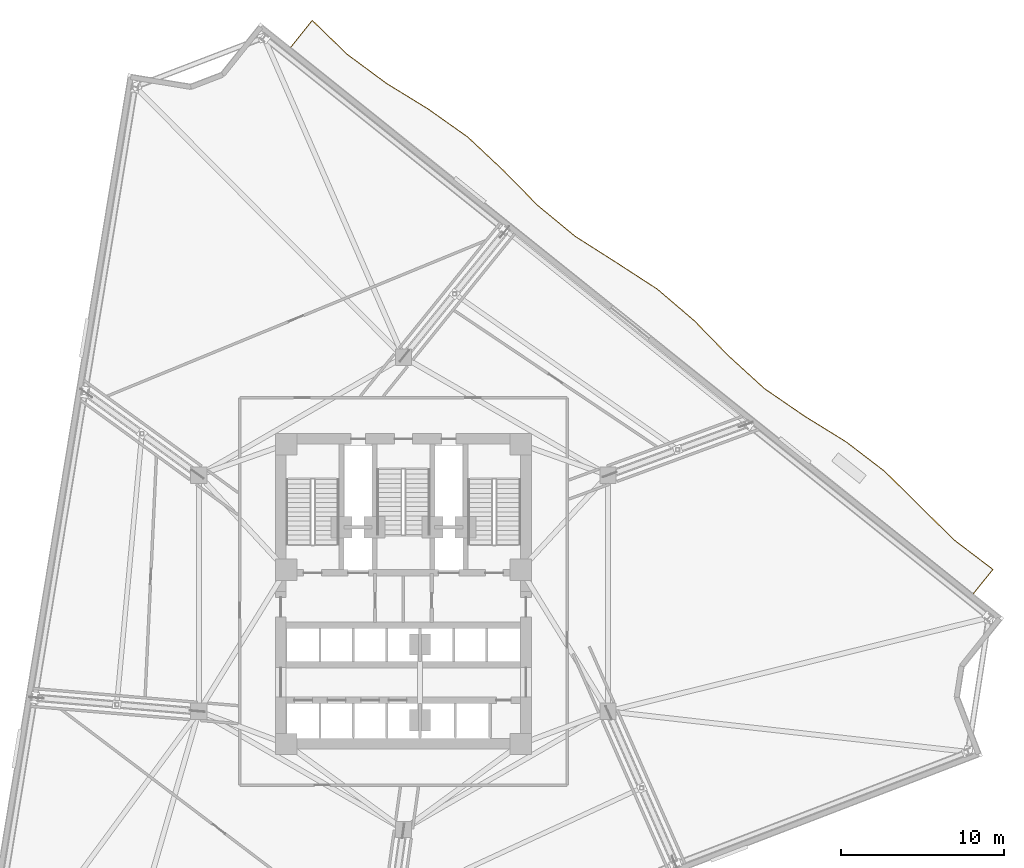
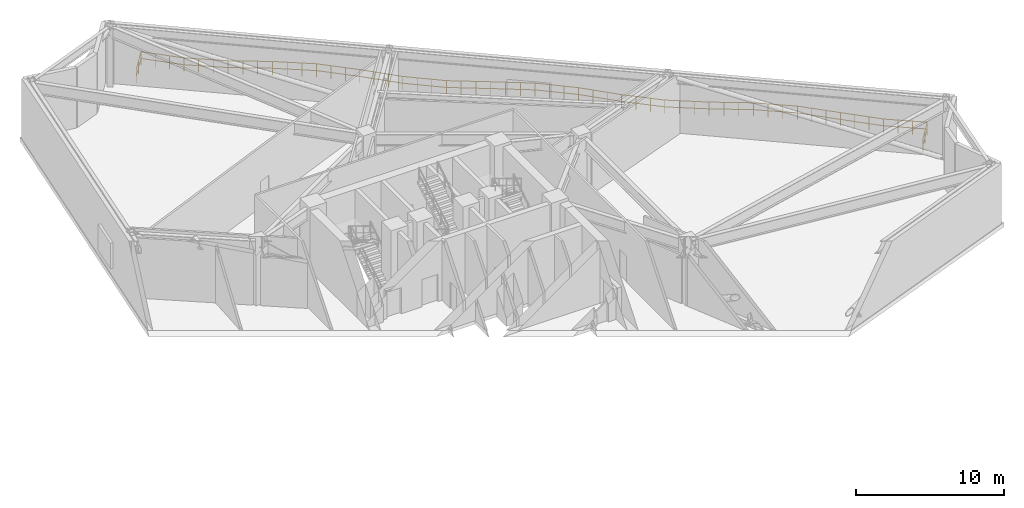
# One storey, part 18 of 18: 1 railing.
"""IFC4 building model written with IfcOpenShell, lengths in metres."""

from ifc_helpers import new_model, si_unit, direction, frame, origin, origin_2d, place, context, subcontext, project, spatial, rectangle, extrude, material, type_object, element, save


model = new_model("IFC4")

# Units and contexts
model_context = context("Model", 3, precision=1e-05, world=origin(), true_north=direction((0.0, 1.0)))
body_context = subcontext(model_context, "Body", "Model", "MODEL_VIEW")
ifc_project = project(units=[si_unit("LENGTHUNIT", "METRE"), si_unit("AREAUNIT", "SQUARE_METRE"), si_unit("VOLUMEUNIT", "CUBIC_METRE"), si_unit("PLANEANGLEUNIT", "RADIAN"), si_unit("MASSUNIT", "GRAM", prefix="KILO")], contexts=[model_context])

# Site, building, storey
site_placement = place(None, origin())
site = spatial("IfcSite", under=ifc_project, at=site_placement, CompositionType="ELEMENT")
building_placement = place(site_placement, origin())
building = spatial("IfcBuilding", under=site, at=building_placement, Name="Apsidion Concourse Tower", CompositionType="ELEMENT")
storey_placement = place(building_placement, frame((0.0, 0.0, 127.0)))
storey = spatial("IfcBuildingStorey", under=building, at=storey_placement, Name="L29", CompositionType="ELEMENT", Elevation=127.0)

# Railing
ifc_material = material(Name="Brushed stainless steel 316", Category="steel")
railing_type = type_object("IfcRailingType", Name="RL-BAL-1120", PredefinedType="BALUSTRADE", material=ifc_material)
railing_placement = place(storey_placement, frame((-6.919189453125, 33.529541015625, 0.0)))
element("IfcRailing", 1, at=railing_placement, inside=storey, type_object=railing_type, Name="L29 Face 3 Spiral Terrace Balustrade", PredefinedType="BALUSTRADE", context=body_context, shape_type="SweptSolid", body=[
    extrude(rectangle(XDim=0.048095703125, YDim=0.048095703125, at=origin_2d()), frame((0.0, 0.0, 1.09619140625), z_axis=(0.624906753079, 0.780699397948, 0.0), x_axis=(-0.780699397948, 0.624906753079, 0.0)), (0.0, 0.0, 1.0), 2.109375),
    extrude(rectangle(XDim=0.048095703125, YDim=0.048095703125, at=origin_2d()), frame((0.0, 0.0, 0.5361328125), z_axis=(0.624906753079, 0.780699397948, 0.0), x_axis=(-0.780699397948, 0.624906753079, 0.0)), (0.0, 0.0, 1.0), 2.109375),
    extrude(rectangle(XDim=0.048095703125, YDim=0.048095703125, at=origin_2d()), frame((1.318115234375, 1.646728515625, 1.09619140625), z_axis=(0.717859674941, -0.69618782458, 0.0), x_axis=(0.69618782458, 0.717859674941, 0.0)), (0.0, 0.0, 1.0), 2.99658203125),
    extrude(rectangle(XDim=0.048095703125, YDim=0.048095703125, at=origin_2d()), frame((1.318115234375, 1.646728515625, 0.5361328125), z_axis=(0.717859674941, -0.69618782458, 0.0), x_axis=(0.69618782458, 0.717859674941, 0.0)), (0.0, 0.0, 1.0), 2.99658203125),
    extrude(rectangle(XDim=0.048095703125, YDim=0.048095703125, at=origin_2d()), frame((3.46923828125, -0.439453125, 1.09619140625), z_axis=(0.803762891337, -0.594949757971, 0.0), x_axis=(0.594949757971, 0.803762891337, 0.0)), (0.0, 0.0, 1.0), 2.98486328125),
    extrude(rectangle(XDim=0.048095703125, YDim=0.048095703125, at=origin_2d()), frame((3.46923828125, -0.439453125, 0.5361328125), z_axis=(0.803762891337, -0.594949757971, 0.0), x_axis=(0.594949757971, 0.803762891337, 0.0)), (0.0, 0.0, 1.0), 2.98486328125),
    extrude(rectangle(XDim=0.048095703125, YDim=0.048095703125, at=origin_2d()), frame((5.868408203125, -2.21533203125, 1.09619140625), z_axis=(0.852020615175, -0.52350823424, 0.0), x_axis=(0.52350823424, 0.852020615175, 0.0)), (0.0, 0.0, 1.0), 3.006103515625),
    extrude(rectangle(XDim=0.048095703125, YDim=0.048095703125, at=origin_2d()), frame((5.868408203125, -2.21533203125, 0.5361328125), z_axis=(0.852020615175, -0.52350823424, 0.0), x_axis=(0.52350823424, 0.852020615175, 0.0)), (0.0, 0.0, 1.0), 3.006103515625),
    extrude(rectangle(XDim=0.048095703125, YDim=0.048095703125, at=origin_2d()), frame((8.4296875, -3.7890625, 1.09619140625), z_axis=(0.816188227197, -0.577786100374, 0.0), x_axis=(0.577786100374, 0.816188227197, 0.0)), (0.0, 0.0, 1.0), 2.98828125),
    extrude(rectangle(XDim=0.048095703125, YDim=0.048095703125, at=origin_2d()), frame((8.4296875, -3.7890625, 0.5361328125), z_axis=(0.816188227197, -0.577786100374, 0.0), x_axis=(0.577786100374, 0.816188227197, 0.0)), (0.0, 0.0, 1.0), 2.98828125),
    extrude(rectangle(XDim=0.048095703125, YDim=0.048095703125, at=origin_2d()), frame((10.86865234375, -5.515625, 1.09619140625), z_axis=(0.729267436502, -0.684228767342, 0.0), x_axis=(0.684228767342, 0.729267436502, 0.0)), (0.0, 0.0, 1.0), 2.9921875),
    extrude(rectangle(XDim=0.048095703125, YDim=0.048095703125, at=origin_2d()), frame((10.86865234375, -5.515625, 0.5361328125), z_axis=(0.729267436502, -0.684228767342, 0.0), x_axis=(0.684228767342, 0.729267436502, 0.0)), (0.0, 0.0, 1.0), 2.9921875),
    extrude(rectangle(XDim=0.048095703125, YDim=0.048095703125, at=origin_2d()), frame((13.05078125, -7.56298828125, 1.09619140625), z_axis=(0.700329732699, -0.713819490836, 0.0), x_axis=(0.713819490836, 0.700329732699, 0.0)), (0.0, 0.0, 1.0), 3.00439453125),
    extrude(rectangle(XDim=0.048095703125, YDim=0.048095703125, at=origin_2d()), frame((13.05078125, -7.56298828125, 0.5361328125), z_axis=(0.700329732699, -0.713819490836, 0.0), x_axis=(0.713819490836, 0.700329732699, 0.0)), (0.0, 0.0, 1.0), 3.00439453125),
    extrude(rectangle(XDim=0.048095703125, YDim=0.048095703125, at=origin_2d()), frame((15.15478515625, -9.70751953125, 1.09619140625), z_axis=(0.771277863748, -0.63649859143, 0.0), x_axis=(0.63649859143, 0.771277863748, 0.0)), (0.0, 0.0, 1.0), 2.9833984375),
    extrude(rectangle(XDim=0.048095703125, YDim=0.048095703125, at=origin_2d()), frame((15.15478515625, -9.70751953125, 0.5361328125), z_axis=(0.771277863748, -0.63649859143, 0.0), x_axis=(0.63649859143, 0.771277863748, 0.0)), (0.0, 0.0, 1.0), 2.9833984375),
    extrude(rectangle(XDim=0.048095703125, YDim=0.048095703125, at=origin_2d()), frame((17.455810546875, -11.6064453125, 1.09619140625), z_axis=(0.843678239029, -0.536849167819, 0.0), x_axis=(0.536849167819, 0.843678239029, 0.0)), (0.0, 0.0, 1.0), 3.00048828125),
    extrude(rectangle(XDim=0.048095703125, YDim=0.048095703125, at=origin_2d()), frame((17.455810546875, -11.6064453125, 0.5361328125), z_axis=(0.843678239029, -0.536849167819, 0.0), x_axis=(0.536849167819, 0.843678239029, 0.0)), (0.0, 0.0, 1.0), 3.00048828125),
    extrude(rectangle(XDim=0.048095703125, YDim=0.048095703125, at=origin_2d()), frame((19.9873046875, -13.21728515625, 1.09619140625), z_axis=(0.838717017949, -0.544567501604, 0.0), x_axis=(0.544567501604, 0.838717017949, 0.0)), (0.0, 0.0, 1.0), 2.997802734375),
    extrude(rectangle(XDim=0.048095703125, YDim=0.048095703125, at=origin_2d()), frame((19.9873046875, -13.21728515625, 0.5361328125), z_axis=(0.838717017949, -0.544567501604, 0.0), x_axis=(0.544567501604, 0.838717017949, 0.0)), (0.0, 0.0, 1.0), 2.997802734375),
    extrude(rectangle(XDim=0.048095703125, YDim=0.048095703125, at=origin_2d()), frame((22.501708984375, -14.849853515625, 1.09619140625), z_axis=(0.760658098639, -0.649152722381, 0.0), x_axis=(0.649152722381, 0.760658098639, 0.0)), (0.0, 0.0, 1.0), 2.984375),
    extrude(rectangle(XDim=0.048095703125, YDim=0.048095703125, at=origin_2d()), frame((22.501708984375, -14.849853515625, 0.5361328125), z_axis=(0.760658098639, -0.649152722381, 0.0), x_axis=(0.649152722381, 0.760658098639, 0.0)), (0.0, 0.0, 1.0), 2.984375),
    extrude(rectangle(XDim=0.048095703125, YDim=0.048095703125, at=origin_2d()), frame((24.771728515625, -16.787109375, 1.09619140625), z_axis=(0.697869000357, -0.716225424249, 0.0), x_axis=(0.716225424249, 0.697869000357, 0.0)), (0.0, 0.0, 1.0), 3.005859375),
    extrude(rectangle(XDim=0.048095703125, YDim=0.048095703125, at=origin_2d()), frame((24.771728515625, -16.787109375, 0.5361328125), z_axis=(0.697869000357, -0.716225424249, 0.0), x_axis=(0.716225424249, 0.697869000357, 0.0)), (0.0, 0.0, 1.0), 3.005859375),
    extrude(rectangle(XDim=0.048095703125, YDim=0.048095703125, at=origin_2d()), frame((26.869384765625, -18.93994140625, 1.09619140625), z_axis=(0.738515553378, -0.674236440293, 0.0), x_axis=(0.674236440293, 0.738515553378, 0.0)), (0.0, 0.0, 1.0), 2.989013671875),
    extrude(rectangle(XDim=0.048095703125, YDim=0.048095703125, at=origin_2d()), frame((26.869384765625, -18.93994140625, 0.5361328125), z_axis=(0.738515553378, -0.674236440293, 0.0), x_axis=(0.674236440293, 0.738515553378, 0.0)), (0.0, 0.0, 1.0), 2.989013671875),
    extrude(rectangle(XDim=0.048095703125, YDim=0.048095703125, at=origin_2d()), frame((29.076904296875, -20.955322265625, 1.09619140625), z_axis=(0.824310949057, -0.566137314849, 0.0), x_axis=(0.566137314849, 0.824310949057, 0.0)), (0.0, 0.0, 1.0), 2.990966796875),
    extrude(rectangle(XDim=0.048095703125, YDim=0.048095703125, at=origin_2d()), frame((29.076904296875, -20.955322265625, 0.5361328125), z_axis=(0.824310949057, -0.566137314849, 0.0), x_axis=(0.566137314849, 0.824310949057, 0.0)), (0.0, 0.0, 1.0), 2.990966796875),
    extrude(rectangle(XDim=0.048095703125, YDim=0.048095703125, at=origin_2d()), frame((31.54248046875, -22.648681640625, 1.09619140625), z_axis=(0.850644117774, -0.525741937547, 0.0), x_axis=(0.525741937547, 0.850644117774, 0.0)), (0.0, 0.0, 1.0), 3.0048828125),
    extrude(rectangle(XDim=0.048095703125, YDim=0.048095703125, at=origin_2d()), frame((31.54248046875, -22.648681640625, 0.5361328125), z_axis=(0.850644117774, -0.525741937547, 0.0), x_axis=(0.525741937547, 0.850644117774, 0.0)), (0.0, 0.0, 1.0), 3.0048828125),
    extrude(rectangle(XDim=0.048095703125, YDim=0.048095703125, at=origin_2d()), frame((34.0986328125, -24.228515625, 1.09619140625), z_axis=(0.793960501959, -0.607969342425, 0.0), x_axis=(0.607969342425, 0.793960501959, 0.0)), (0.0, 0.0, 1.0), 2.983642578125),
    extrude(rectangle(XDim=0.048095703125, YDim=0.048095703125, at=origin_2d()), frame((34.0986328125, -24.228515625, 0.5361328125), z_axis=(0.793960501959, -0.607969342425, 0.0), x_axis=(0.607969342425, 0.793960501959, 0.0)), (0.0, 0.0, 1.0), 2.983642578125),
    extrude(rectangle(XDim=0.048095703125, YDim=0.048095703125, at=origin_2d()), frame((36.467529296875, -26.04248046875, 1.09619140625), z_axis=(0.710881399843, -0.703311904745, 0.0), x_axis=(0.703311904745, 0.710881399843, 0.0)), (0.0, 0.0, 1.0), 2.99951171875),
    extrude(rectangle(XDim=0.048095703125, YDim=0.048095703125, at=origin_2d()), frame((36.467529296875, -26.04248046875, 0.5361328125), z_axis=(0.710881399843, -0.703311904745, 0.0), x_axis=(0.703311904745, 0.710881399843, 0.0)), (0.0, 0.0, 1.0), 2.99951171875),
    extrude(rectangle(XDim=0.048095703125, YDim=0.048095703125, at=origin_2d()), frame((38.599853515625, -28.152099609375, 1.09619140625), z_axis=(0.712217315389, -0.701959041299, 0.0), x_axis=(0.701959041299, 0.712217315389, 0.0)), (0.0, 0.0, 1.0), 2.998779296875),
    extrude(rectangle(XDim=0.048095703125, YDim=0.048095703125, at=origin_2d()), frame((38.599853515625, -28.152099609375, 0.5361328125), z_axis=(0.712217315389, -0.701959041299, 0.0), x_axis=(0.701959041299, 0.712217315389, 0.0)), (0.0, 0.0, 1.0), 2.998779296875),
    extrude(rectangle(XDim=0.048095703125, YDim=0.048095703125, at=origin_2d()), frame((40.735595703125, -30.257080078125, 1.09619140625), z_axis=(0.795966662346, -0.605340459934, 0.0), x_axis=(0.605340459934, 0.795966662346, 0.0)), (0.0, 0.0, 1.0), 2.984130859375),
    extrude(rectangle(XDim=0.048095703125, YDim=0.048095703125, at=origin_2d()), frame((40.735595703125, -30.257080078125, 0.5361328125), z_axis=(0.795966662346, -0.605340459934, 0.0), x_axis=(0.605340459934, 0.795966662346, 0.0)), (0.0, 0.0, 1.0), 2.984130859375),
    extrude(rectangle(XDim=0.048095703125, YDim=0.048095703125, at=origin_2d()), frame((43.11083984375, -32.0634765625, 1.09619140625), z_axis=(-0.625006609908, -0.780619457592, 0.0), x_axis=(0.780619457592, -0.625006609908, 0.0)), (0.0, 0.0, 1.0), 1.910888671875),
    extrude(rectangle(XDim=0.048095703125, YDim=0.048095703125, at=origin_2d()), frame((43.11083984375, -32.0634765625, 0.5361328125), z_axis=(-0.625006609908, -0.780619457592, 0.0), x_axis=(0.780619457592, -0.625006609908, 0.0)), (0.0, 0.0, 1.0), 1.910888671875),
    extrude(rectangle(XDim=0.0419921875, YDim=0.0419921875, at=origin_2d()), origin(), (0.0, 0.0, 1.0), 1.072021484375),
    extrude(rectangle(XDim=0.0419921875, YDim=0.0419921875, at=origin_2d()), frame((0.6591796875, 0.8232421875, 0.0)), (0.0, 0.0, 1.0), 1.072021484375),
    extrude(rectangle(XDim=0.0419921875, YDim=0.0419921875, at=origin_2d()), frame((1.318115234375, 1.646728515625, 0.0)), (0.0, 0.0, 1.0), 1.072021484375),
    extrude(rectangle(XDim=0.0419921875, YDim=0.0419921875, at=origin_2d()), frame((2.03515625, 0.951416015625, 0.0)), (0.0, 0.0, 1.0), 1.072021484375),
    extrude(rectangle(XDim=0.0419921875, YDim=0.0419921875, at=origin_2d()), frame((2.752197265625, 0.255859375, 0.0)), (0.0, 0.0, 1.0), 1.072021484375),
    extrude(rectangle(XDim=0.0419921875, YDim=0.0419921875, at=origin_2d()), frame((3.46923828125, -0.439453125, 0.0)), (0.0, 0.0, 1.0), 1.072021484375),
    extrude(rectangle(XDim=0.0419921875, YDim=0.0419921875, at=origin_2d()), frame((4.26904296875, -1.031494140625, 0.0)), (0.0, 0.0, 1.0), 1.072021484375),
    extrude(rectangle(XDim=0.0419921875, YDim=0.0419921875, at=origin_2d()), frame((5.068603515625, -1.623291015625, 0.0)), (0.0, 0.0, 1.0), 1.072021484375),
    extrude(rectangle(XDim=0.0419921875, YDim=0.0419921875, at=origin_2d()), frame((5.868408203125, -2.21533203125, 0.0)), (0.0, 0.0, 1.0), 1.072021484375),
    extrude(rectangle(XDim=0.0419921875, YDim=0.0419921875, at=origin_2d()), frame((6.72216796875, -2.739990234375, 0.0)), (0.0, 0.0, 1.0), 1.072021484375),
    extrude(rectangle(XDim=0.0419921875, YDim=0.0419921875, at=origin_2d()), frame((7.575927734375, -3.264404296875, 0.0)), (0.0, 0.0, 1.0), 1.072021484375),
    extrude(rectangle(XDim=0.0419921875, YDim=0.0419921875, at=origin_2d()), frame((8.4296875, -3.7890625, 0.0)), (0.0, 0.0, 1.0), 1.072021484375),
    extrude(rectangle(XDim=0.0419921875, YDim=0.0419921875, at=origin_2d()), frame((9.24267578125, -4.364501953125, 0.0)), (0.0, 0.0, 1.0), 1.072021484375),
    extrude(rectangle(XDim=0.0419921875, YDim=0.0419921875, at=origin_2d()), frame((10.0556640625, -4.940185546875, 0.0)), (0.0, 0.0, 1.0), 1.072021484375),
    extrude(rectangle(XDim=0.0419921875, YDim=0.0419921875, at=origin_2d()), frame((10.86865234375, -5.515625, 0.0)), (0.0, 0.0, 1.0), 1.072021484375),
    extrude(rectangle(XDim=0.0419921875, YDim=0.0419921875, at=origin_2d()), frame((11.595947265625, -6.197998046875, 0.0)), (0.0, 0.0, 1.0), 1.072021484375),
    extrude(rectangle(XDim=0.0419921875, YDim=0.0419921875, at=origin_2d()), frame((12.323486328125, -6.880615234375, 0.0)), (0.0, 0.0, 1.0), 1.072021484375),
    extrude(rectangle(XDim=0.0419921875, YDim=0.0419921875, at=origin_2d()), frame((13.05078125, -7.56298828125, 0.0)), (0.0, 0.0, 1.0), 1.072021484375),
    extrude(rectangle(XDim=0.0419921875, YDim=0.0419921875, at=origin_2d()), frame((13.752197265625, -8.27783203125, 0.0)), (0.0, 0.0, 1.0), 1.072021484375),
    extrude(rectangle(XDim=0.0419921875, YDim=0.0419921875, at=origin_2d()), frame((14.453369140625, -8.99267578125, 0.0)), (0.0, 0.0, 1.0), 1.072021484375),
    extrude(rectangle(XDim=0.0419921875, YDim=0.0419921875, at=origin_2d()), frame((15.15478515625, -9.70751953125, 0.0)), (0.0, 0.0, 1.0), 1.072021484375),
    extrude(rectangle(XDim=0.0419921875, YDim=0.0419921875, at=origin_2d()), frame((15.921875, -10.340576171875, 0.0)), (0.0, 0.0, 1.0), 1.072021484375),
    extrude(rectangle(XDim=0.0419921875, YDim=0.0419921875, at=origin_2d()), frame((16.688720703125, -10.973388671875, 0.0)), (0.0, 0.0, 1.0), 1.072021484375),
    extrude(rectangle(XDim=0.0419921875, YDim=0.0419921875, at=origin_2d()), frame((17.455810546875, -11.6064453125, 0.0)), (0.0, 0.0, 1.0), 1.072021484375),
    extrude(rectangle(XDim=0.0419921875, YDim=0.0419921875, at=origin_2d()), frame((18.299560546875, -12.143310546875, 0.0)), (0.0, 0.0, 1.0), 1.072021484375),
    extrude(rectangle(XDim=0.0419921875, YDim=0.0419921875, at=origin_2d()), frame((19.1435546875, -12.680419921875, 0.0)), (0.0, 0.0, 1.0), 1.072021484375),
    extrude(rectangle(XDim=0.0419921875, YDim=0.0419921875, at=origin_2d()), frame((19.9873046875, -13.21728515625, 0.0)), (0.0, 0.0, 1.0), 1.072021484375),
    extrude(rectangle(XDim=0.0419921875, YDim=0.0419921875, at=origin_2d()), frame((20.825439453125, -13.761474609375, 0.0)), (0.0, 0.0, 1.0), 1.072021484375),
    extrude(rectangle(XDim=0.0419921875, YDim=0.0419921875, at=origin_2d()), frame((21.66357421875, -14.3056640625, 0.0)), (0.0, 0.0, 1.0), 1.072021484375),
    extrude(rectangle(XDim=0.0419921875, YDim=0.0419921875, at=origin_2d()), frame((22.501708984375, -14.849853515625, 0.0)), (0.0, 0.0, 1.0), 1.072021484375),
    extrude(rectangle(XDim=0.0419921875, YDim=0.0419921875, at=origin_2d()), frame((23.25830078125, -15.49560546875, 0.0)), (0.0, 0.0, 1.0), 1.072021484375),
    extrude(rectangle(XDim=0.0419921875, YDim=0.0419921875, at=origin_2d()), frame((24.01513671875, -16.141357421875, 0.0)), (0.0, 0.0, 1.0), 1.072021484375),
    extrude(rectangle(XDim=0.0419921875, YDim=0.0419921875, at=origin_2d()), frame((24.771728515625, -16.787109375, 0.0)), (0.0, 0.0, 1.0), 1.072021484375),
    extrude(rectangle(XDim=0.0419921875, YDim=0.0419921875, at=origin_2d()), frame((25.470947265625, -17.504638671875, 0.0)), (0.0, 0.0, 1.0), 1.072021484375),
    extrude(rectangle(XDim=0.0419921875, YDim=0.0419921875, at=origin_2d()), frame((26.170166015625, -18.222412109375, 0.0)), (0.0, 0.0, 1.0), 1.072021484375),
    extrude(rectangle(XDim=0.0419921875, YDim=0.0419921875, at=origin_2d()), frame((26.869384765625, -18.93994140625, 0.0)), (0.0, 0.0, 1.0), 1.072021484375),
    extrude(rectangle(XDim=0.0419921875, YDim=0.0419921875, at=origin_2d()), frame((27.605224609375, -19.61181640625, 0.0)), (0.0, 0.0, 1.0), 1.072021484375),
    extrude(rectangle(XDim=0.0419921875, YDim=0.0419921875, at=origin_2d()), frame((28.341064453125, -20.283447265625, 0.0)), (0.0, 0.0, 1.0), 1.072021484375),
    extrude(rectangle(XDim=0.0419921875, YDim=0.0419921875, at=origin_2d()), frame((29.076904296875, -20.955322265625, 0.0)), (0.0, 0.0, 1.0), 1.072021484375),
    extrude(rectangle(XDim=0.0419921875, YDim=0.0419921875, at=origin_2d()), frame((29.898681640625, -21.519775390625, 0.0)), (0.0, 0.0, 1.0), 1.072021484375),
    extrude(rectangle(XDim=0.0419921875, YDim=0.0419921875, at=origin_2d()), frame((30.720703125, -22.084228515625, 0.0)), (0.0, 0.0, 1.0), 1.072021484375),
    extrude(rectangle(XDim=0.0419921875, YDim=0.0419921875, at=origin_2d()), frame((31.54248046875, -22.648681640625, 0.0)), (0.0, 0.0, 1.0), 1.072021484375),
    extrude(rectangle(XDim=0.0419921875, YDim=0.0419921875, at=origin_2d()), frame((32.39453125, -23.17529296875, 0.0)), (0.0, 0.0, 1.0), 1.072021484375),
    extrude(rectangle(XDim=0.0419921875, YDim=0.0419921875, at=origin_2d()), frame((33.24658203125, -23.701904296875, 0.0)), (0.0, 0.0, 1.0), 1.072021484375),
    extrude(rectangle(XDim=0.0419921875, YDim=0.0419921875, at=origin_2d()), frame((34.0986328125, -24.228515625, 0.0)), (0.0, 0.0, 1.0), 1.072021484375),
    extrude(rectangle(XDim=0.0419921875, YDim=0.0419921875, at=origin_2d()), frame((34.88818359375, -24.833251953125, 0.0)), (0.0, 0.0, 1.0), 1.072021484375),
    extrude(rectangle(XDim=0.0419921875, YDim=0.0419921875, at=origin_2d()), frame((35.677978515625, -25.437744140625, 0.0)), (0.0, 0.0, 1.0), 1.072021484375),
    extrude(rectangle(XDim=0.0419921875, YDim=0.0419921875, at=origin_2d()), frame((36.467529296875, -26.04248046875, 0.0)), (0.0, 0.0, 1.0), 1.072021484375),
    extrude(rectangle(XDim=0.0419921875, YDim=0.0419921875, at=origin_2d()), frame((37.17822265625, -26.74560546875, 0.0)), (0.0, 0.0, 1.0), 1.072021484375),
    extrude(rectangle(XDim=0.0419921875, YDim=0.0419921875, at=origin_2d()), frame((37.88916015625, -27.448974609375, 0.0)), (0.0, 0.0, 1.0), 1.072021484375),
    extrude(rectangle(XDim=0.0419921875, YDim=0.0419921875, at=origin_2d()), frame((38.599853515625, -28.152099609375, 0.0)), (0.0, 0.0, 1.0), 1.072021484375),
    extrude(rectangle(XDim=0.0419921875, YDim=0.0419921875, at=origin_2d()), frame((39.311767578125, -28.853759765625, 0.0)), (0.0, 0.0, 1.0), 1.072021484375),
    extrude(rectangle(XDim=0.0419921875, YDim=0.0419921875, at=origin_2d()), frame((40.023681640625, -29.555419921875, 0.0)), (0.0, 0.0, 1.0), 1.072021484375),
    extrude(rectangle(XDim=0.0419921875, YDim=0.0419921875, at=origin_2d()), frame((40.735595703125, -30.257080078125, 0.0)), (0.0, 0.0, 1.0), 1.072021484375),
    extrude(rectangle(XDim=0.0419921875, YDim=0.0419921875, at=origin_2d()), frame((41.52734375, -30.859130859375, 0.0)), (0.0, 0.0, 1.0), 1.072021484375),
    extrude(rectangle(XDim=0.0419921875, YDim=0.0419921875, at=origin_2d()), frame((42.319091796875, -31.46142578125, 0.0)), (0.0, 0.0, 1.0), 1.072021484375),
    extrude(rectangle(XDim=0.0419921875, YDim=0.0419921875, at=origin_2d()), frame((43.11083984375, -32.0634765625, 0.0)), (0.0, 0.0, 1.0), 1.072021484375),
    extrude(rectangle(XDim=0.0419921875, YDim=0.0419921875, at=origin_2d()), frame((42.513671875, -32.809326171875, 0.0)), (0.0, 0.0, 1.0), 1.072021484375),
    extrude(rectangle(XDim=0.0419921875, YDim=0.0419921875, at=origin_2d()), frame((41.91650390625, -33.55517578125, 0.0)), (0.0, 0.0, 1.0), 1.072021484375),
])

save(model, "model.ifc")
